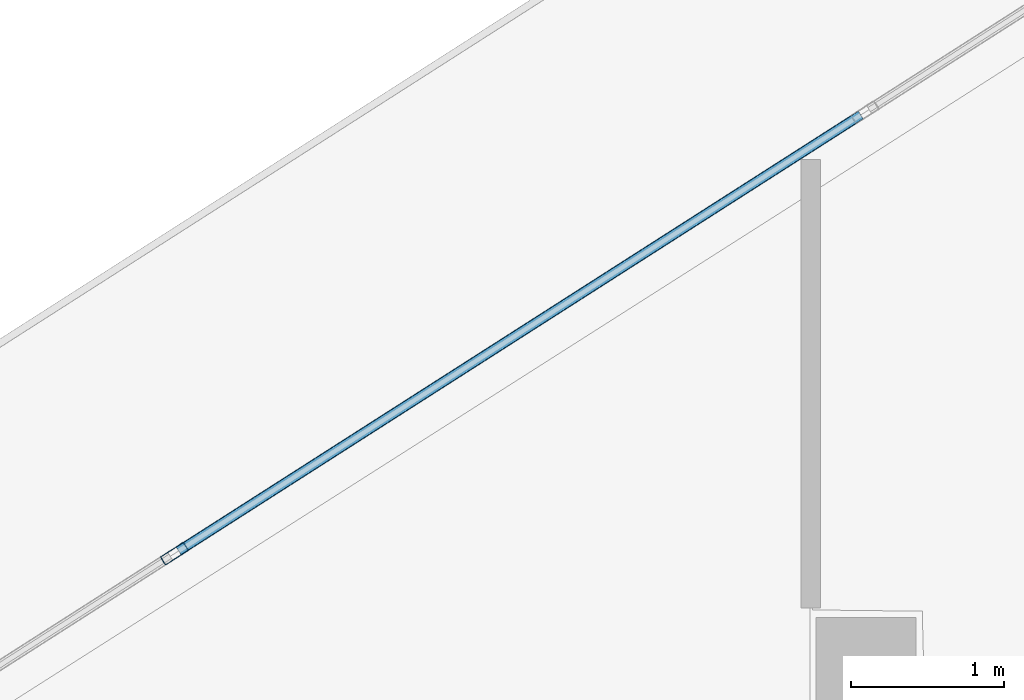
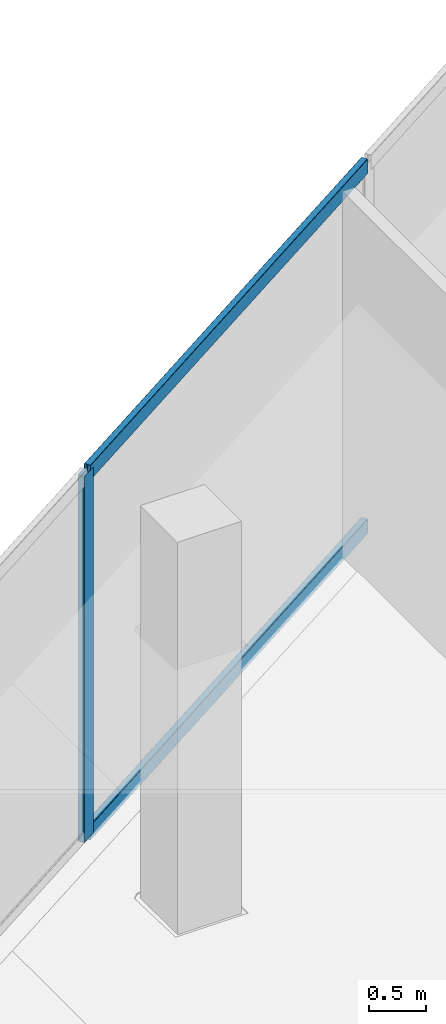
# One storey, part 18 of 44: 3 members, 1 element without a shape of its own.
"""IFC4 building model written with IfcOpenShell, lengths in metres."""

from ifc_helpers import new_model, si_unit, direction, frame, origin, origin_2d, place, context, subcontext, project, spatial, hollow_rectangle, extrude, material, layer, layer_set, material_profile, profile_set, type_object, element, aggregate, save


model = new_model("IFC4")

# Units and contexts
model_context = context("Model", 3, precision=1e-05, world=origin(), true_north=direction((0.0, 1.0)))
body_context = subcontext(model_context, "Body", "Model", "MODEL_VIEW")
ifc_project = project(units=[si_unit("LENGTHUNIT", "METRE"), si_unit("AREAUNIT", "SQUARE_METRE"), si_unit("VOLUMEUNIT", "CUBIC_METRE"), si_unit("PLANEANGLEUNIT", "RADIAN"), si_unit("MASSUNIT", "GRAM", prefix="KILO")], contexts=[model_context])

# Site, building, storey
site_placement = place(None, origin())
site = spatial("IfcSite", under=ifc_project, at=site_placement, CompositionType="ELEMENT")
building_placement = place(site_placement, origin())
building = spatial("IfcBuilding", under=site, at=building_placement, Name="Qorvath Tower", CompositionType="ELEMENT")
storey_placement = place(building_placement, frame((0.0, 0.0, 45.0)))
storey = spatial("IfcBuildingStorey", under=building, at=storey_placement, Name="L09", CompositionType="ELEMENT", Elevation=45.0)

# Curtain wall, members
ifc_material_1 = material(Name="Anodised aluminium and triple low-E glass", Category="aluminium")
ifc_layer = layer(ifc_material_1, 0.179931640625)
ifc_layer_set = layer_set([ifc_layer], Name="CW-SYS-2")
curtain_wall_type = type_object("IfcCurtainWallType", Name="CW-SYS-2", PredefinedType="NOTDEFINED", material=ifc_layer_set)
curtain_wall_placement = place(storey_placement, origin())
curtain_wall = element("IfcCurtainWall", 1, at=curtain_wall_placement, inside=storey, type_object=curtain_wall_type, Name="Curtain Wall CW-2 CW-T-L09-16.2", PredefinedType="NOTDEFINED")
ifc_material_2 = material(Name="Anodised aluminium 6063-T6", Category="aluminium")
ifc_material_profile_1 = material_profile(ifc_material_2, hollow_rectangle(XDim=0.06494140625, YDim=0.179931640625, WallThickness=0.00341796875, InnerFilletRadius=0.00341796875, OuterFilletRadius=0.007080078125, at=origin_2d()), Name="CWM 180x65")
ifc_profile_set_1 = profile_set([ifc_material_profile_1], Name="Anodised aluminium 6063-T6")
member_type_1 = type_object("IfcMemberType", Name="CWM-180", PredefinedType="MULLION", material=ifc_profile_set_1)
member_1_placement = place(storey_placement, frame((-35.5244140625, 20.203125, 0.0), z_axis=(0.0, 0.0, 1.0), x_axis=(0.538541095387, -0.842599245537, 0.0)))
member_1 = element("IfcMember", 2, at=member_1_placement, type_object=member_type_1, Name="CW-2 mullion 4", PredefinedType="MULLION", context=body_context, shape_type="SweptSolid", body=[
    extrude(hollow_rectangle(XDim=0.06494140625, YDim=0.179931640625, WallThickness=0.00341796875, InnerFilletRadius=0.00341796875, OuterFilletRadius=0.007080078125, at=origin_2d()), origin(), (0.0, 0.0, 1.0), 3.919921875),
])
ifc_material_3 = material(Name="Anodised aluminium 6063-T6", Category="aluminium")
ifc_material_profile_2 = material_profile(ifc_material_3, hollow_rectangle(XDim=0.06494140625, YDim=0.159912109375, WallThickness=0.00341796875, InnerFilletRadius=0.00341796875, OuterFilletRadius=0.007080078125, at=origin_2d()), Name="CWT 160x65")
ifc_profile_set_2 = profile_set([ifc_material_profile_2], Name="Anodised aluminium 6063-T6")
member_type_2 = type_object("IfcMemberType", Name="CWT-160", PredefinedType="USERDEFINED", material=ifc_profile_set_2)
member_2_placement = place(storey_placement, frame((-31.0498046875, 23.063232421875, 0.032470703125), z_axis=(-0.842591313382, -0.538553505803, 0.0), x_axis=(0.538553505803, -0.842591313382, 0.0)))
member_2 = element("IfcMember", 3, at=member_2_placement, type_object=member_type_2, Name="CW-2 transom 3.1", ObjectType="TRANSOM", PredefinedType="USERDEFINED", context=body_context, shape_type="SweptSolid", body=[
    extrude(hollow_rectangle(XDim=0.06494140625, YDim=0.159912109375, WallThickness=0.00341796875, InnerFilletRadius=0.00341796875, OuterFilletRadius=0.007080078125, at=origin_2d()), origin(), (0.0, 0.0, 1.0), 5.278076171875),
])
member_3_placement = place(storey_placement, frame((-31.0498046875, 23.063232421875, 3.887451171875), z_axis=(-0.842591313382, -0.538553505803, 0.0), x_axis=(0.538553505803, -0.842591313382, 0.0)))
member_3 = element("IfcMember", 4, at=member_3_placement, type_object=member_type_2, Name="CW-2 transom 3.2", ObjectType="TRANSOM", PredefinedType="USERDEFINED", context=body_context, shape_type="SweptSolid", body=[
    extrude(hollow_rectangle(XDim=0.06494140625, YDim=0.159912109375, WallThickness=0.00341796875, InnerFilletRadius=0.00341796875, OuterFilletRadius=0.007080078125, at=origin_2d()), origin(), (0.0, 0.0, 1.0), 5.278076171875),
])
aggregate(curtain_wall, [member_1, member_2, member_3])

save(model, "model.ifc")
